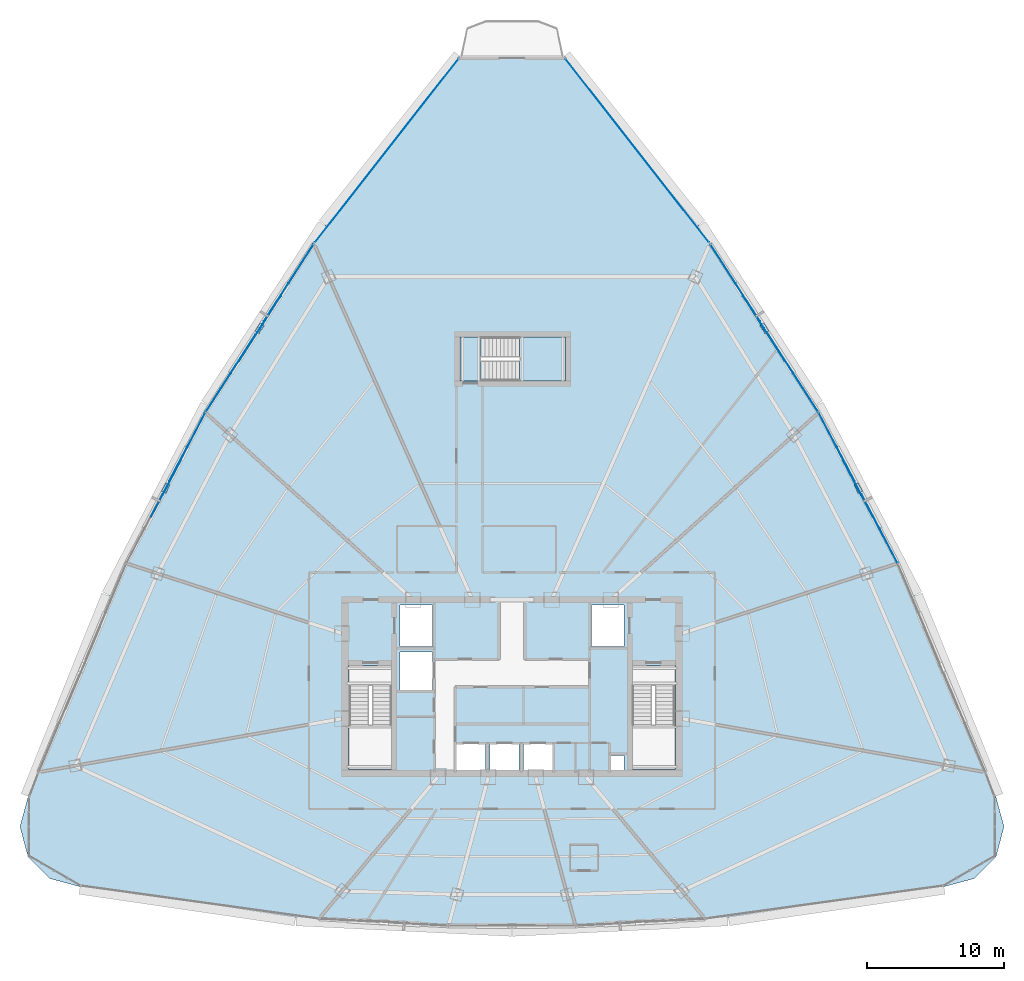
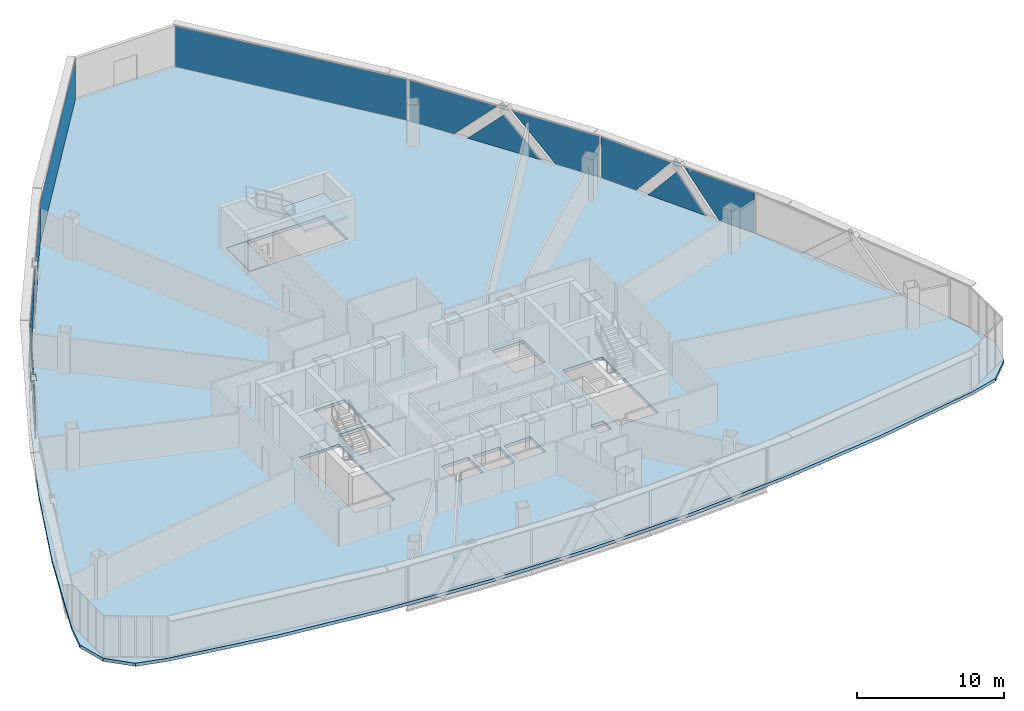
# One storey, part 28 of 36: 17 plates, 3 slabs, 7 elements without a shape of their own.
"""IFC4 building model written with IfcOpenShell, lengths in metres."""

from ifc_helpers import new_model, si_unit, direction, frame, origin, origin_2d, place, context, subcontext, project, spatial, polyline, rectangle, outline, extrude, source, transform, mapped, material, layer, layer_set, type_object, element, aggregate, save


model = new_model("IFC4")

# Units and contexts
model_context = context("Model", 3, precision=1e-05, world=origin(), true_north=direction((0.0, 1.0)))
body_context = subcontext(model_context, "Body", "Model", "MODEL_VIEW")
ifc_project = project(units=[si_unit("LENGTHUNIT", "METRE"), si_unit("AREAUNIT", "SQUARE_METRE"), si_unit("VOLUMEUNIT", "CUBIC_METRE"), si_unit("PLANEANGLEUNIT", "RADIAN"), si_unit("MASSUNIT", "GRAM", prefix="KILO"), si_unit("THERMODYNAMICTEMPERATUREUNIT", "KELVIN"), si_unit("POWERUNIT", "WATT")], contexts=[model_context])

# Site, building, storey
site_placement = place(None, origin())
site = spatial("IfcSite", under=ifc_project, at=site_placement, CompositionType="ELEMENT")
building_placement = place(site_placement, origin())
building = spatial("IfcBuilding", under=site, at=building_placement, Name="Yunzhuo Pagoda Commons", CompositionType="ELEMENT")
storey_placement = place(building_placement, frame((0.0, 0.0, 244.530029296875)))
storey = spatial("IfcBuildingStorey", under=building, at=storey_placement, Name="L61", CompositionType="ELEMENT", Elevation=244.530029296875)

# Curtain wall, plates
ifc_material_1 = material(Name="Anodized aluminium 6063-T6", Category="aluminium")
ifc_layer_1 = layer(ifc_material_1, 0.139892578125)
ifc_layer_set_1 = layer_set([ifc_layer_1], Name="Anodized aluminium 6063-T6")
curtain_wall_type = type_object("IfcCurtainWallType", Name="CW-HI High-Zone Ribbon Curtain Wall", PredefinedType="NOTDEFINED", material=ifc_layer_set_1)
curtain_wall_1_placement = place(storey_placement, origin())
curtain_wall_1 = element("IfcCurtainWall", 1, at=curtain_wall_1_placement, inside=storey, type_object=curtain_wall_type, Name="L61 curtain wall CW-L61-F2B3", PredefinedType="NOTDEFINED")
ifc_material_2 = material(Name="Tempered low-e double glazing", Category="glass")
ifc_layer_2 = layer(ifc_material_2, 0.02587890625)
ifc_layer_set_2 = layer_set([ifc_layer_2], Name="Tempered low-e double glazing")
plate_type_1 = type_object("IfcPlateType", Name="CW-HI-P Low-E Double Glazing 26", PredefinedType="CURTAIN_PANEL", material=ifc_layer_set_2)
plate_1_placement = place(storey_placement, frame((74.8486328125, 45.396484375, 1.73486328125), z_axis=(0.88543295769, 0.464767121725, 0.0), x_axis=(-0.464767121725, 0.88543295769, 0.0)))
plate_1 = element("IfcPlate", 2, at=plate_1_placement, type_object=plate_type_1, Name="CW panel 1.1 lite 1", PredefinedType="CURTAIN_PANEL", context=body_context, shape_type="SweptSolid", body=[
    extrude(outline(polyline([(-2.810546875, -1.679931640625), (0.00830078125, -1.679931640625), (2.810546875, 1.679931640625), (-2.810546875, 1.679931640625), (-2.810546875, -1.679931640625)])), origin(), (0.0, 0.0, 1.0), 0.028076171875),
])
plate_2_placement = place(storey_placement, frame((73.264404296875, 48.349853515625, 1.4658203125), z_axis=(0.88543295769, 0.464767121725, 0.0), x_axis=(-0.464767121725, 0.88543295769, 0.0)))
plate_2 = element("IfcPlate", 3, at=plate_2_placement, type_object=plate_type_1, Name="CW panel 1.1 lite 2", PredefinedType="CURTAIN_PANEL", context=body_context, shape_type="SweptSolid", body=[
    extrude(outline(polyline([(-2.353515625, -1.410888671875), (2.353515625, -1.410888671875), (0.0, 1.410888671875), (-2.353515625, -1.410888671875)])), origin(), (0.0, 0.0, 1.0), 0.028076171875),
])
plate_3_placement = place(storey_placement, frame((71.7333984375, 51.331298828125, 1.73486328125), z_axis=(0.88543295769, 0.464767121725, 0.0), x_axis=(-0.464767121725, 0.88543295769, 0.0)))
plate_3 = element("IfcPlate", 4, at=plate_3_placement, type_object=plate_type_1, Name="CW panel 1.1 lite 3", PredefinedType="CURTAIN_PANEL", context=body_context, shape_type="SweptSolid", body=[
    extrude(outline(polyline([(-2.810546875, 1.679931640625), (-0.00830078125, -1.679931640625), (2.810546875, -1.679931640625), (2.810546875, 1.679931640625), (-2.810546875, 1.679931640625)])), origin(), (0.0, 0.0, 1.0), 0.028076171875),
])
aggregate(curtain_wall_1, [plate_1, plate_2, plate_3])

curtain_wall_2_placement = place(storey_placement, origin())
curtain_wall_2 = element("IfcCurtainWall", 5, at=curtain_wall_2_placement, inside=storey, type_object=curtain_wall_type, Name="L61 curtain wall CW-L61-F2B4", PredefinedType="NOTDEFINED")
plate_4_placement = place(storey_placement, frame((68.5595703125, 56.736083984375, 1.73486328125), z_axis=(0.841269037614, 0.540616690782, 0.0), x_axis=(-0.540616690782, 0.841269037614, 0.0)))
plate_4 = element("IfcPlate", 6, at=plate_4_placement, type_object=plate_type_1, Name="CW panel 1.1 lite 1", PredefinedType="CURTAIN_PANEL", context=body_context, shape_type="SweptSolid", body=[
    extrude(outline(polyline([(-3.344482421875, -1.679931640625), (0.040283203125, -1.679931640625), (3.344482421875, 1.679931640625), (-3.344482421875, 1.679931640625), (-3.344482421875, -1.679931640625)])), origin(), (0.0, 0.0, 1.0), 0.028076171875),
])
plate_5_placement = place(storey_placement, frame((66.408935546875, 60.02734375, 1.491455078125), z_axis=(0.841269037614, 0.540616690782, 0.0), x_axis=(-0.540616690782, 0.841269037614, 0.0)))
plate_5 = element("IfcPlate", 7, at=plate_5_placement, type_object=plate_type_1, Name="CW panel 1.1 lite 2", PredefinedType="CURTAIN_PANEL", context=body_context, shape_type="SweptSolid", body=[
    extrude(outline(polyline([(-2.8251953125, -1.4365234375), (2.8251953125, -1.4365234375), (0.0, 1.4365234375), (-2.8251953125, -1.4365234375)])), origin(), (0.0, 0.0, 1.0), 0.028076171875),
])
plate_6_placement = place(storey_placement, frame((64.30859375, 63.350830078125, 1.73486328125), z_axis=(0.841269037614, 0.540616690782, 0.0), x_axis=(-0.540616690782, 0.841269037614, 0.0)))
plate_6 = element("IfcPlate", 8, at=plate_6_placement, type_object=plate_type_1, Name="CW panel 1.1 lite 3", PredefinedType="CURTAIN_PANEL", context=body_context, shape_type="SweptSolid", body=[
    extrude(outline(polyline([(-3.344482421875, 1.679931640625), (-0.040283203125, -1.679931640625), (3.344482421875, -1.679931640625), (3.344482421875, 1.679931640625), (-3.344482421875, 1.679931640625)])), origin(), (0.0, 0.0, 1.0), 0.028076171875),
])
aggregate(curtain_wall_2, [plate_4, plate_5, plate_6])

curtain_wall_3_placement = place(storey_placement, origin())
curtain_wall_3 = element("IfcCurtainWall", 9, at=curtain_wall_3_placement, inside=storey, type_object=curtain_wall_type, Name="L61 curtain wall CW-L61-F3B2", PredefinedType="NOTDEFINED")
plate_7_placement = place(storey_placement, frame((31.69140625, 63.350830078125, 1.73486328125), z_axis=(-0.841269037614, 0.540616690782, 0.0), x_axis=(-0.540616690782, -0.841269037614, 0.0)))
plate_7 = element("IfcPlate", 10, at=plate_7_placement, type_object=plate_type_1, Name="CW panel 1.1 lite 1", PredefinedType="CURTAIN_PANEL", context=body_context, shape_type="SweptSolid", body=[
    extrude(outline(polyline([(-3.344482421875, -1.679931640625), (0.040283203125, -1.679931640625), (3.344482421875, 1.679931640625), (-3.344482421875, 1.679931640625), (-3.344482421875, -1.679931640625)])), origin(), (0.0, 0.0, 1.0), 0.028076171875),
])
plate_8_placement = place(storey_placement, frame((29.591064453125, 60.02734375, 1.491455078125), z_axis=(-0.841269037614, 0.540616690782, 0.0), x_axis=(-0.540616690782, -0.841269037614, 0.0)))
plate_8 = element("IfcPlate", 11, at=plate_8_placement, type_object=plate_type_1, Name="CW panel 1.1 lite 2", PredefinedType="CURTAIN_PANEL", context=body_context, shape_type="SweptSolid", body=[
    extrude(outline(polyline([(-2.8251953125, -1.4365234375), (2.8251953125, -1.4365234375), (0.0, 1.4365234375), (-2.8251953125, -1.4365234375)])), origin(), (0.0, 0.0, 1.0), 0.028076171875),
])
plate_9_placement = place(storey_placement, frame((27.4404296875, 56.736083984375, 1.73486328125), z_axis=(-0.841269037614, 0.540616690782, 0.0), x_axis=(-0.540616690782, -0.841269037614, 0.0)))
plate_9 = element("IfcPlate", 12, at=plate_9_placement, type_object=plate_type_1, Name="CW panel 1.1 lite 3", PredefinedType="CURTAIN_PANEL", context=body_context, shape_type="SweptSolid", body=[
    extrude(outline(polyline([(-3.344482421875, 1.679931640625), (-0.040283203125, -1.679931640625), (3.344482421875, -1.679931640625), (3.344482421875, 1.679931640625), (-3.344482421875, 1.679931640625)])), origin(), (0.0, 0.0, 1.0), 0.028076171875),
])
aggregate(curtain_wall_3, [plate_7, plate_8, plate_9])

curtain_wall_4_placement = place(storey_placement, origin())
curtain_wall_4 = element("IfcCurtainWall", 13, at=curtain_wall_4_placement, inside=storey, type_object=curtain_wall_type, Name="L61 curtain wall CW-L61-F3B3", PredefinedType="NOTDEFINED")
plate_10_placement = place(storey_placement, frame((24.2666015625, 51.331298828125, 1.73486328125), z_axis=(-0.88543295769, 0.464767121725, 0.0), x_axis=(-0.464767121725, -0.88543295769, 0.0)))
plate_10 = element("IfcPlate", 14, at=plate_10_placement, type_object=plate_type_1, Name="CW panel 1.1 lite 1", PredefinedType="CURTAIN_PANEL", context=body_context, shape_type="SweptSolid", body=[
    extrude(outline(polyline([(-2.810546875, -1.679931640625), (0.00830078125, -1.679931640625), (2.810546875, 1.679931640625), (-2.810546875, 1.679931640625), (-2.810546875, -1.679931640625)])), origin(), (0.0, 0.0, 1.0), 0.028076171875),
])
plate_11_placement = place(storey_placement, frame((22.735595703125, 48.349853515625, 1.4658203125), z_axis=(-0.88543295769, 0.464767121725, 0.0), x_axis=(-0.464767121725, -0.88543295769, 0.0)))
plate_11 = element("IfcPlate", 15, at=plate_11_placement, type_object=plate_type_1, Name="CW panel 1.1 lite 2", PredefinedType="CURTAIN_PANEL", context=body_context, shape_type="SweptSolid", body=[
    extrude(outline(polyline([(-2.353515625, -1.410888671875), (2.353515625, -1.410888671875), (0.0, 1.410888671875), (-2.353515625, -1.410888671875)])), origin(), (0.0, 0.0, 1.0), 0.028076171875),
])
aggregate(curtain_wall_4, [plate_10, plate_11])

# Stair, slabs
ifc_material_3 = material(Name="Concrete C40", Category="concrete")
stair_type = type_object("IfcStairType", Name="ST-C3 North Tower Smokeproof Stair ST3", PredefinedType="HALF_TURN_STAIR", material=ifc_material_3)
stair_placement = place(storey_placement, origin())
stair = element("IfcStair", 16, at=stair_placement, inside=storey, type_object=stair_type, Name="L61 North tower smokeproof stair ST3", PredefinedType="HALF_TURN_STAIR")
ifc_layer_3 = layer(ifc_material_3, 0.2041015625)
ifc_layer_set_3 = layer_set([ifc_layer_3], Name="Concrete C40")
slab_type_1 = type_object("IfcSlabType", Name="SL-LND5 North Landing Slab 204", PredefinedType="LANDING", material=ifc_layer_set_3)
slab_1_placement = place(storey_placement, frame((0.0, 0.0, 1.6650390625)))
slab_1 = element("IfcSlab", 17, at=slab_1_placement, type_object=slab_type_1, Name="ST3 landing 1", PredefinedType="LANDING", context=body_context, shape_type="SweptSolid", body=[
    extrude(outline(polyline([(48.550048828125, 56.199951171875), (51.89990234375, 56.199951171875), (51.89990234375, 59.39990234375), (48.550048828125, 59.39990234375), (48.550048828125, 56.199951171875)])), origin(), (0.0, 0.0, 1.0), 0.199951171875),
])
slab_2_placement = place(storey_placement, frame((0.0, 0.0, -0.199951171875)))
slab_2 = element("IfcSlab", 18, at=slab_2_placement, type_object=slab_type_1, Name="ST3 floor landing L61", PredefinedType="LANDING", context=body_context, shape_type="SweptSolid", body=[
    extrude(outline(polyline([(44.199951171875, 56.199951171875), (45.75, 56.199951171875), (45.75, 59.39990234375), (44.199951171875, 59.39990234375), (44.199951171875, 56.199951171875)])), origin(), (0.0, 0.0, 1.0), 0.199951171875),
])
aggregate(stair, [slab_1, slab_2])

# Slab
ifc_layer_4 = layer(ifc_material_3, 0.260009765625)
ifc_layer_set_4 = layer_set([ifc_layer_4], Name="Concrete C40")
slab_type_2 = type_object("IfcSlabType", Name="SL-TWR Typical Tower Floor Slab 260", PredefinedType="FLOOR", material=ifc_layer_set_4)
slab_3_placement = place(storey_placement, frame((0.0, 0.0, -0.260009765625)))
element("IfcSlab", 19, at=slab_3_placement, inside=storey, type_object=slab_type_2, Name="L61 structural floor slab", PredefinedType="FLOOR", context=body_context, shape_type="SweptSolid", body=[
    extrude(outline(polyline([(15.419677734375, 33.249267578125), (18.5390625, 40.499267578125), (21.990478515625, 47.555419921875), (25.773681640625, 54.417724609375), (29.888916015625, 61.08642578125), (34.336181640625, 67.561279296875), (39.115234375, 73.842529296875), (44.226318359375, 79.9296875), (51.773681640625, 79.9296875), (56.884765625, 73.842529296875), (61.663818359375, 67.561279296875), (66.111083984375, 61.08642578125), (70.226318359375, 54.417724609375), (74.009521484375, 47.555419921875), (77.4609375, 40.499267578125), (80.580322265625, 33.249267578125), (83.367919921875, 25.8056640625), (83.963623046875, 23.618408203125), (83.383544921875, 21.427001953125), (81.783447265625, 19.8212890625), (79.59423828125, 19.2333984375), (71.69580078125, 17.88818359375), (63.797119140625, 16.92724609375), (55.898681640625, 16.3505859375), (48.0, 16.158447265625), (40.101318359375, 16.3505859375), (32.202880859375, 16.92724609375), (24.30419921875, 17.88818359375), (16.40576171875, 19.2333984375), (14.216552734375, 19.8212890625), (12.616455078125, 21.427001953125), (12.036376953125, 23.618408203125), (12.632080078125, 25.8056640625), (15.419677734375, 33.249267578125)]), holes=[polyline([(56.179931640625, 28.800048828125), (55.179931640625, 28.800048828125), (55.179931640625, 27.699951171875), (56.179931640625, 27.699951171875), (56.179931640625, 28.800048828125)]), polyline([(46.050048828125, 29.64990234375), (43.949951171875, 29.64990234375), (43.949951171875, 27.60009765625), (46.050048828125, 27.60009765625), (46.050048828125, 29.64990234375)]), polyline([(48.5, 29.64990234375), (46.39990234375, 29.64990234375), (46.39990234375, 27.60009765625), (48.5, 27.60009765625), (48.5, 29.64990234375)]), polyline([(50.949951171875, 27.60009765625), (50.949951171875, 29.64990234375), (48.85009765625, 29.64990234375), (48.85009765625, 27.60009765625), (50.949951171875, 27.60009765625)]), polyline([(36.10009765625, 27.800048828125), (39.199951171875, 27.800048828125), (39.199951171875, 35.39990234375), (36.10009765625, 35.39990234375), (36.10009765625, 27.800048828125)]), polyline([(59.89990234375, 27.800048828125), (59.89990234375, 35.39990234375), (56.800048828125, 35.39990234375), (56.800048828125, 27.800048828125), (59.89990234375, 27.800048828125)]), polyline([(42.199951171875, 36.39990234375), (39.800048828125, 36.39990234375), (39.800048828125, 33.60009765625), (42.199951171875, 33.60009765625), (42.199951171875, 36.39990234375)]), polyline([(42.199951171875, 39.800048828125), (39.800048828125, 39.800048828125), (39.800048828125, 36.800048828125), (42.199951171875, 36.800048828125), (42.199951171875, 39.800048828125)]), polyline([(56.199951171875, 36.800048828125), (56.199951171875, 39.800048828125), (53.800048828125, 39.800048828125), (53.800048828125, 36.800048828125), (56.199951171875, 36.800048828125)]), polyline([(51.89990234375, 56.199951171875), (51.89990234375, 59.39990234375), (44.199951171875, 59.39990234375), (44.199951171875, 56.199951171875), (51.89990234375, 56.199951171875)])]), origin(), (0.0, 0.0, 1.0), 0.260009765625),
])

# Plates
ifc_material_4 = material(Name="Structural steel Q355B", Category="steel")
ifc_layer_5 = layer(ifc_material_4, 0.028076171875)
ifc_layer_set_5 = layer_set([ifc_layer_5], Name="Structural steel Q355B")
plate_type_2 = type_object("IfcPlateType", Name="SP-ND1 Lattice Node Cap Plate 800x500x28", PredefinedType="USERDEFINED", material=ifc_layer_set_5)
shared_shape_1 = source(origin(), body_context, "Body", "SweptSolid", [
    extrude(rectangle(XDim=0.699951171875, YDim=0.35009765625, at=origin_2d()), origin(), (0.0, 0.0, 1.0), 0.035888671875),
])
for number, where, z_axis, x_axis, name in (
    (20, (73.303466796875, 48.370361328125, 3.43212890625), (0.0, 0.0, 1.0), (-0.464764778785, 0.885434187504, 0.0), "L61 setback lattice tie plate F2.2L"),
    (21, (66.44580078125, 60.051025390625, 3.43212890625), (0.0, 0.0, 1.0), (-0.540622130321, 0.84126554203, 0.0), "L61 setback lattice tie plate F2.3L"),
    (22, (29.55419921875, 60.051025390625, 3.43212890625), (0.0, 0.0, 1.0), (-0.540622130321, -0.84126554203, 0.0), "L61 setback lattice tie plate F3.1L"),
    (23, (22.696533203125, 48.370361328125, 3.43212890625), (0.0, 0.0, 1.0), (-0.464764778785, -0.885434187504, 0.0), "L61 setback lattice tie plate F3.2L"),
):
    element("IfcPlate", number, at=place(storey_placement, frame(where, z_axis=z_axis, x_axis=x_axis)), inside=storey, type_object=plate_type_2, Name=name, ObjectType="STIFFENER_PLATE", PredefinedType="USERDEFINED", context=body_context, shape_type="MappedRepresentation", body=[
        mapped(shared_shape_1, transform((0.0, 0.0, 0.0), scale=1.0)),
    ])

# Curtain wall, plate
curtain_wall_5_placement = place(storey_placement, origin())
curtain_wall_5 = element("IfcCurtainWall", 24, at=curtain_wall_5_placement, inside=storey, type_object=curtain_wall_type, Name="L61 curtain wall CW-L61-F2B5", PredefinedType="NOTDEFINED")
shared_shape_2 = source(origin(), body_context, "Body", "SweptSolid", [
    extrude(rectangle(XDim=17.037109375, YDim=0.028076171875, at=origin_2d()), origin(), (0.0, 0.0, 1.0), 3.360107421875),
])
plate_12_placement = place(storey_placement, frame((57.151123046875, 73.040771484375, 0.0546875), z_axis=(0.0, 0.0, 1.0), x_axis=(-0.615789034114, 0.787911077131, 0.0)))
plate_12 = element("IfcPlate", 25, at=plate_12_placement, type_object=plate_type_1, Name="CW panel 1.1", PredefinedType="CURTAIN_PANEL", context=body_context, shape_type="MappedRepresentation", body=[
    mapped(shared_shape_2, transform((0.0, 0.0, 0.0), scale=1.0)),
])
aggregate(curtain_wall_5, [plate_12])

curtain_wall_6_placement = place(storey_placement, origin())
curtain_wall_6 = element("IfcCurtainWall", 26, at=curtain_wall_6_placement, inside=storey, type_object=curtain_wall_type, Name="L61 curtain wall CW-L61-F3B1", PredefinedType="NOTDEFINED")
plate_13_placement = place(storey_placement, frame((38.848876953125, 73.040771484375, 0.0546875), z_axis=(0.0, 0.0, 1.0), x_axis=(-0.615789034114, -0.787911077131, 0.0)))
plate_13 = element("IfcPlate", 27, at=plate_13_placement, type_object=plate_type_1, Name="CW panel 1.1", PredefinedType="CURTAIN_PANEL", context=body_context, shape_type="MappedRepresentation", body=[
    mapped(shared_shape_2, transform((0.0, 0.0, 0.0), scale=1.0)),
])
aggregate(curtain_wall_6, [plate_13])

save(model, "model.ifc")
